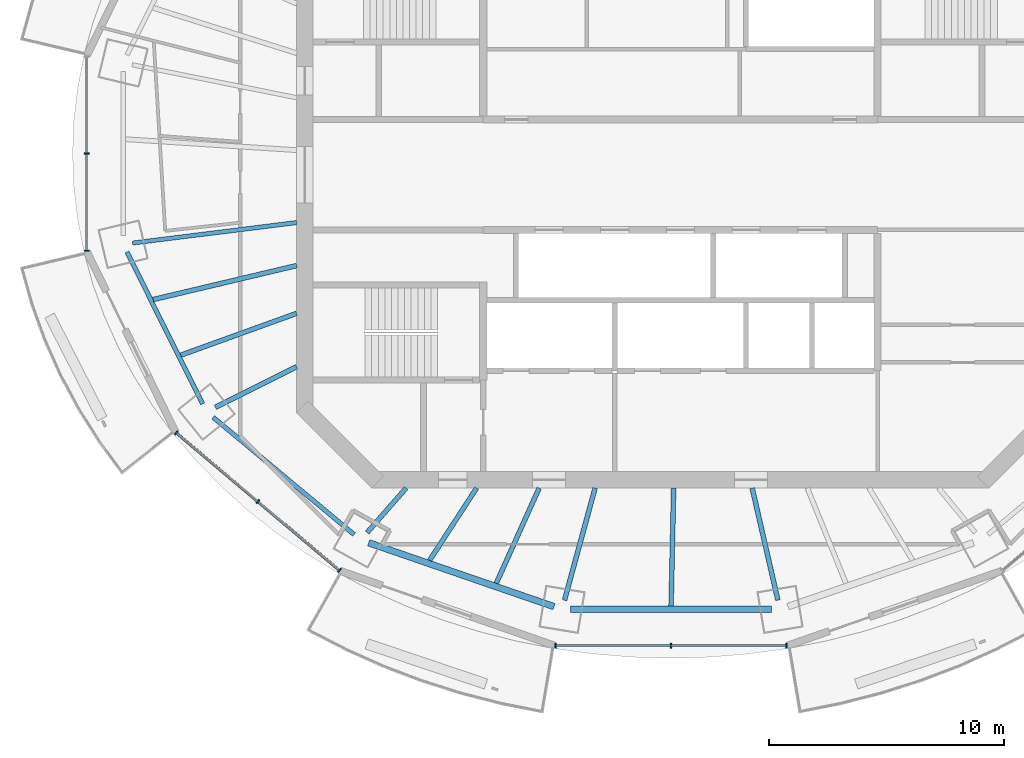
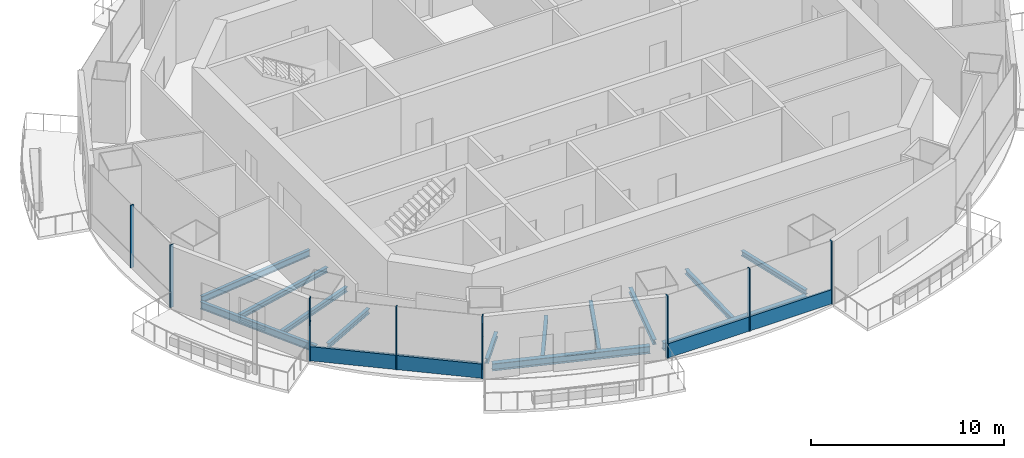
# One storey, part 2 of 15: 14 beams, 10 members, 3 elements without a shape of their own.
"""IFC4 building model written with IfcOpenShell, lengths in metres."""

from ifc_helpers import new_model, si_unit, direction, frame, origin, origin_2d, place, context, subcontext, project, spatial, rectangle, i_section, extrude, material, material_profile, profile_set, type_object, element, aggregate, save


model = new_model("IFC4")

# Units and contexts
model_context = context("Model", 3, precision=1e-05, world=origin(), true_north=direction((0.0, 1.0)))
body_context = subcontext(model_context, "Body", "Model", "MODEL_VIEW")
ifc_project = project(units=[si_unit("LENGTHUNIT", "METRE"), si_unit("AREAUNIT", "SQUARE_METRE"), si_unit("VOLUMEUNIT", "CUBIC_METRE"), si_unit("PLANEANGLEUNIT", "RADIAN"), si_unit("MASSUNIT", "GRAM", prefix="KILO")], contexts=[model_context])

# Site, building, storey
site_placement = place(None, origin())
site = spatial("IfcSite", under=ifc_project, at=site_placement, CompositionType="ELEMENT")
building_placement = place(site_placement, origin())
building = spatial("IfcBuilding", under=site, at=building_placement, Name="Marenthal Gate Tower", CompositionType="ELEMENT")
storey_placement = place(building_placement, frame((0.0, 0.0, 384.10009765625)))
storey = spatial("IfcBuildingStorey", under=building, at=storey_placement, Name="L87", CompositionType="ELEMENT", Elevation=384.10009765625)

# Curtain wall, members
ifc_material_1 = material(Name="Aluminium and glass", Category="aluminium")
curtain_wall_type = type_object("IfcCurtainWallType", Name="Curtain wall typical high", PredefinedType="NOTDEFINED", material=ifc_material_1)
curtain_wall_1_placement = place(storey_placement, origin())
curtain_wall_1 = element("IfcCurtainWall", 1, at=curtain_wall_1_placement, inside=storey, type_object=curtain_wall_type, Name="Curtain wall L87 bay 8", PredefinedType="NOTDEFINED")
ifc_material_2 = material(Name="Aluminium", Category="aluminium")
ifc_material_profile_1 = material_profile(ifc_material_2, rectangle(XDim=0.199951171875, YDim=0.06005859375, at=origin_2d()), Name="60x200 aluminium mullion")
ifc_profile_set_1 = profile_set([ifc_material_profile_1], Name="Aluminium")
member_type_1 = type_object("IfcMemberType", Name="Mullion 60x200 typical high", PredefinedType="MULLION", material=ifc_profile_set_1)
member_1_placement = place(storey_placement, frame((-25.292236328125, 0.89990234375, 0.0), z_axis=(0.0, 0.0, 1.0), x_axis=(1.0, 0.0, 0.0)))
member_1 = element("IfcMember", 2, at=member_1_placement, type_object=member_type_1, Name="Mullion L87 bay 8.2", PredefinedType="MULLION", context=body_context, shape_type="SweptSolid", body=[
    extrude(rectangle(XDim=0.199951171875, YDim=0.06005859375, at=origin_2d()), origin(), (0.0, 0.0, 1.0), 3.969970703125),
])
member_2_placement = place(storey_placement, frame((-25.292236328125, -3.240966796875, 0.0), z_axis=(0.0, 0.0, 1.0), x_axis=(1.0, 0.0, 0.0)))
member_2 = element("IfcMember", 3, at=member_2_placement, type_object=member_type_1, Name="Mullion L87 bay 8.3", PredefinedType="MULLION", context=body_context, shape_type="SweptSolid", body=[
    extrude(rectangle(XDim=0.199951171875, YDim=0.06005859375, at=origin_2d()), origin(), (0.0, 0.0, 1.0), 3.969970703125),
])
aggregate(curtain_wall_1, [member_1, member_2])

curtain_wall_2_placement = place(storey_placement, origin())
curtain_wall_2 = element("IfcCurtainWall", 4, at=curtain_wall_2_placement, inside=storey, type_object=curtain_wall_type, Name="Curtain wall L87 bay 10", PredefinedType="NOTDEFINED")
member_3_placement = place(storey_placement, frame((-21.479736328125, -10.997314453125, 0.0), z_axis=(0.0, 0.0, 1.0), x_axis=(0.644265226944, 0.764802142616, 0.0)))
member_3 = element("IfcMember", 5, at=member_3_placement, type_object=member_type_1, Name="Mullion L87 bay 10.1", PredefinedType="MULLION", context=body_context, shape_type="SweptSolid", body=[
    extrude(rectangle(XDim=0.199951171875, YDim=0.06005859375, at=origin_2d()), origin(), (0.0, 0.0, 1.0), 3.969970703125),
])
member_4_placement = place(storey_placement, frame((-18.00146484375, -13.927490234375, 0.0), z_axis=(0.0, 0.0, 1.0), x_axis=(0.644265226944, 0.764802142616, 0.0)))
member_4 = element("IfcMember", 6, at=member_4_placement, type_object=member_type_1, Name="Mullion L87 bay 10.2", PredefinedType="MULLION", context=body_context, shape_type="SweptSolid", body=[
    extrude(rectangle(XDim=0.199951171875, YDim=0.06005859375, at=origin_2d()), origin(), (0.0, 0.0, 1.0), 3.969970703125),
])
member_5_placement = place(storey_placement, frame((-14.5234375, -16.857421875, 0.0), z_axis=(0.0, 0.0, 1.0), x_axis=(0.644265226944, 0.764802142616, 0.0)))
member_5 = element("IfcMember", 7, at=member_5_placement, type_object=member_type_1, Name="Mullion L87 bay 10.3", PredefinedType="MULLION", context=body_context, shape_type="SweptSolid", body=[
    extrude(rectangle(XDim=0.199951171875, YDim=0.06005859375, at=origin_2d()), origin(), (0.0, 0.0, 1.0), 3.969970703125),
])

curtain_wall_3_placement = place(storey_placement, origin())
curtain_wall_3 = element("IfcCurtainWall", 8, at=curtain_wall_3_placement, inside=storey, type_object=curtain_wall_type, Name="Curtain wall L87 bay 12", PredefinedType="NOTDEFINED")
member_6_placement = place(storey_placement, frame((-5.3212890625, -20.069091796875, 0.0), z_axis=(0.0, 0.0, 1.0), x_axis=(0.0, 1.0, 0.0)))
member_6 = element("IfcMember", 9, at=member_6_placement, type_object=member_type_1, Name="Mullion L87 bay 12.1", PredefinedType="MULLION", context=body_context, shape_type="SweptSolid", body=[
    extrude(rectangle(XDim=0.199951171875, YDim=0.06005859375, at=origin_2d()), origin(), (0.0, 0.0, 1.0), 3.969970703125),
])
member_7_placement = place(storey_placement, frame((-0.39990234375, -20.069091796875, 0.0), z_axis=(0.0, 0.0, 1.0), x_axis=(0.0, 1.0, 0.0)))
member_7 = element("IfcMember", 10, at=member_7_placement, type_object=member_type_1, Name="Mullion L87 bay 12.2", PredefinedType="MULLION", context=body_context, shape_type="SweptSolid", body=[
    extrude(rectangle(XDim=0.199951171875, YDim=0.06005859375, at=origin_2d()), origin(), (0.0, 0.0, 1.0), 3.969970703125),
])
member_8_placement = place(storey_placement, frame((4.521484375, -20.069091796875, 0.0), z_axis=(0.0, 0.0, 1.0), x_axis=(0.0, 1.0, 0.0)))
member_8 = element("IfcMember", 11, at=member_8_placement, type_object=member_type_1, Name="Mullion L87 bay 12.3", PredefinedType="MULLION", context=body_context, shape_type="SweptSolid", body=[
    extrude(rectangle(XDim=0.199951171875, YDim=0.06005859375, at=origin_2d()), origin(), (0.0, 0.0, 1.0), 3.969970703125),
])

# Member
ifc_material_3 = material(Name="Aluminium", Category="aluminium")
ifc_material_profile_2 = material_profile(ifc_material_3, rectangle(XDim=0.1201171875, YDim=0.89990234375, at=origin_2d()), Name="120x900 aluminium transom")
ifc_profile_set_2 = profile_set([ifc_material_profile_2], Name="Aluminium")
member_type_2 = type_object("IfcMemberType", Name="Transom 120x900 typical high", PredefinedType="USERDEFINED", material=ifc_profile_set_2)
member_9_placement = place(storey_placement, frame((-21.456787109375, -11.016845703125, 0.449951171875), z_axis=(0.764801880801, -0.644265537743, 0.0), x_axis=(0.644265537743, 0.764801880801, 0.0)))
member_9 = element("IfcMember", 12, at=member_9_placement, type_object=member_type_2, Name="Transom L87 bay 10", ObjectType="TRANSOM", PredefinedType="USERDEFINED", context=body_context, shape_type="SweptSolid", body=[
    extrude(rectangle(XDim=0.1201171875, YDim=0.89990234375, at=origin_2d()), origin(), (0.0, 0.0, 1.0), 9.03564453125),
])

aggregate(curtain_wall_2, [member_3, member_4, member_5, member_9])

member_10_placement = place(storey_placement, frame((-5.29150390625, -20.069091796875, 0.449951171875), z_axis=(1.0, 0.0, 0.0), x_axis=(0.0, 1.0, 0.0)))
member_10 = element("IfcMember", 13, at=member_10_placement, type_object=member_type_2, Name="Transom L87 bay 12", ObjectType="TRANSOM", PredefinedType="USERDEFINED", context=body_context, shape_type="SweptSolid", body=[
    extrude(rectangle(XDim=0.1201171875, YDim=0.89990234375, at=origin_2d()), origin(), (0.0, 0.0, 1.0), 9.782958984375),
])

aggregate(curtain_wall_3, [member_6, member_7, member_8, member_10])

# Beams
ifc_material_4 = material(Name="Steel S355", Category="steel")
ifc_material_profile_3 = material_profile(ifc_material_4, i_section(OverallWidth=0.202880859375, OverallDepth=0.302001953125, WebThickness=0.007568359375, FlangeThickness=0.01318359375, FilletRadius=0.0126953125, at=origin_2d()), Name="W310X60")
ifc_profile_set_3 = profile_set([ifc_material_profile_3], Name="Steel S355")
beam_type_1 = type_object("IfcBeamType", Name="W310X60 beam", PredefinedType="BEAM", material=ifc_profile_set_3)
beam_1_placement = place(storey_placement, frame((-21.283203125, -7.6884765625, -0.3310546875), z_axis=(0.940518373063, 0.339742829109, 0.0), x_axis=(-0.339742829109, 0.940518373063, 0.0)))
element("IfcBeam", 14, at=beam_1_placement, inside=storey, type_object=beam_type_1, Name="BM-L87-29", PredefinedType="BEAM", context=body_context, shape_type="SweptSolid", body=[
    extrude(i_section(OverallWidth=0.202880859375, OverallDepth=0.302001953125, WebThickness=0.007568359375, FlangeThickness=0.01318359375, FilletRadius=0.0126953125, at=origin_2d()), origin(), (0.0, 0.0, 1.0), 5.2451171875),
])
beam_2_placement = place(storey_placement, frame((-10.684326171875, -16.427978515625, -0.3310546875), z_axis=(0.545196351283, 0.838308379147, 0.0), x_axis=(-0.838308379147, 0.545196351283, 0.0)))
element("IfcBeam", 15, at=beam_2_placement, inside=storey, type_object=beam_type_1, Name="BM-L87-30", PredefinedType="BEAM", context=body_context, shape_type="SweptSolid", body=[
    extrude(i_section(OverallWidth=0.202880859375, OverallDepth=0.302001953125, WebThickness=0.007568359375, FlangeThickness=0.01318359375, FilletRadius=0.0126953125, at=origin_2d()), origin(), (0.0, 0.0, 1.0), 3.671630859375),
])
beam_3_placement = place(storey_placement, frame((-7.845458984375, -17.40625, -0.3310546875), z_axis=(0.410944126678, 0.91166053153, 0.0), x_axis=(-0.91166053153, 0.410944126678, 0.0)))
element("IfcBeam", 16, at=beam_3_placement, inside=storey, type_object=beam_type_1, Name="BM-L87-31", PredefinedType="BEAM", context=body_context, shape_type="SweptSolid", body=[
    extrude(i_section(OverallWidth=0.202880859375, OverallDepth=0.302001953125, WebThickness=0.007568359375, FlangeThickness=0.01318359375, FilletRadius=0.0126953125, at=origin_2d()), origin(), (0.0, 0.0, 1.0), 4.44921875),
])
beam_4_placement = place(storey_placement, frame((-0.39697265625, -18.3798828125, -0.3310546875), z_axis=(0.021594807698, 0.99976680495, 0.0), x_axis=(-0.99976680495, 0.021594807698, 0.0)))
element("IfcBeam", 17, at=beam_4_placement, inside=storey, type_object=beam_type_1, Name="BM-L87-32", PredefinedType="BEAM", context=body_context, shape_type="SweptSolid", body=[
    extrude(i_section(OverallWidth=0.202880859375, OverallDepth=0.302001953125, WebThickness=0.007568359375, FlangeThickness=0.01318359375, FilletRadius=0.0126953125, at=origin_2d()), origin(), (0.0, 0.0, 1.0), 5.031005859375),
])
ifc_material_5 = material(Name="Steel S355", Category="steel")
ifc_material_profile_4 = material_profile(ifc_material_5, i_section(OverallWidth=0.205078125, OverallDepth=0.31005859375, WebThickness=0.009521484375, FlangeThickness=0.016357421875, FilletRadius=0.0126953125, at=origin_2d()), Name="W310X74")
ifc_profile_set_4 = profile_set([ifc_material_profile_4], Name="Steel S355")
beam_type_2 = type_object("IfcBeamType", Name="W310X74 beam", PredefinedType="BEAM", material=ifc_profile_set_4)
beam_5_placement = place(storey_placement, frame((-19.812744140625, -9.912109375, -0.335205078125), z_axis=(0.894313662611, 0.447440580264, 0.0), x_axis=(-0.447440580264, 0.894313662611, 0.0)))
element("IfcBeam", 18, at=beam_5_placement, inside=storey, type_object=beam_type_2, Name="BM-L87-10", PredefinedType="BEAM", context=body_context, shape_type="SweptSolid", body=[
    extrude(i_section(OverallWidth=0.205078125, OverallDepth=0.31005859375, WebThickness=0.009521484375, FlangeThickness=0.016357421875, FilletRadius=0.0126953125, at=origin_2d()), origin(), (0.0, 0.0, 1.0), 3.871826171875),
])
beam_6_placement = place(storey_placement, frame((-13.345703125, -15.24658203125, -0.335205078125), z_axis=(0.658724007976, 0.752384663132, 0.0), x_axis=(-0.752384663132, 0.658724007976, 0.0)))
element("IfcBeam", 19, at=beam_6_placement, inside=storey, type_object=beam_type_2, Name="BM-L87-11", PredefinedType="BEAM", context=body_context, shape_type="SweptSolid", body=[
    extrude(i_section(OverallWidth=0.205078125, OverallDepth=0.31005859375, WebThickness=0.009521484375, FlangeThickness=0.016357421875, FilletRadius=0.0126953125, at=origin_2d()), origin(), (0.0, 0.0, 1.0), 2.520751953125),
])
beam_7_placement = place(storey_placement, frame((-4.936767578125, -18.12890625, -0.335205078125), z_axis=(0.262733655063, 0.964868398538, 0.0), x_axis=(-0.964868398538, 0.262733655063, 0.0)))
element("IfcBeam", 20, at=beam_7_placement, inside=storey, type_object=beam_type_2, Name="BM-L87-12", PredefinedType="BEAM", context=body_context, shape_type="SweptSolid", body=[
    extrude(i_section(OverallWidth=0.205078125, OverallDepth=0.31005859375, WebThickness=0.009521484375, FlangeThickness=0.016357421875, FilletRadius=0.0126953125, at=origin_2d()), origin(), (0.0, 0.0, 1.0), 4.952880859375),
])
beam_8_placement = place(storey_placement, frame((4.1533203125, -18.1279296875, -0.335205078125), z_axis=(-0.223338692396, 0.974740903255, 0.0), x_axis=(-0.974740903255, -0.223338692396, 0.0)))
element("IfcBeam", 21, at=beam_8_placement, inside=storey, type_object=beam_type_2, Name="BM-L87-13", PredefinedType="BEAM", context=body_context, shape_type="SweptSolid", body=[
    extrude(i_section(OverallWidth=0.205078125, OverallDepth=0.31005859375, WebThickness=0.009521484375, FlangeThickness=0.016357421875, FilletRadius=0.0126953125, at=origin_2d()), origin(), (0.0, 0.0, 1.0), 4.901611328125),
])
beam_9_placement = place(storey_placement, frame((-22.462646484375, -5.3193359375, -0.335205078125), z_axis=(0.973087397589, 0.230436361397, 0.0), x_axis=(-0.230436361397, 0.973087397589, 0.0)))
element("IfcBeam", 22, at=beam_9_placement, inside=storey, type_object=beam_type_2, Name="BM-L87-28", PredefinedType="BEAM", context=body_context, shape_type="SweptSolid", body=[
    extrude(i_section(OverallWidth=0.205078125, OverallDepth=0.31005859375, WebThickness=0.009521484375, FlangeThickness=0.016357421875, FilletRadius=0.0126953125, at=origin_2d()), origin(), (0.0, 0.0, 1.0), 6.281494140625),
])
ifc_material_6 = material(Name="Steel S355", Category="steel")
ifc_material_profile_5 = material_profile(ifc_material_6, i_section(OverallWidth=0.180908203125, OverallDepth=0.4169921875, WebThickness=0.010986328125, FlangeThickness=0.018310546875, FilletRadius=0.01025390625, at=origin_2d()), Name="W410X85")
ifc_profile_set_5 = profile_set([ifc_material_profile_5], Name="Steel S355")
beam_type_3 = type_object("IfcBeamType", Name="W410X85 beam", PredefinedType="BEAM", material=ifc_profile_set_5)
beam_10_placement = place(storey_placement, frame((-23.34033203125, -2.91259765625, -0.388671875), z_axis=(0.992303448561, 0.123829988185, 0.0), x_axis=(-0.123829988185, 0.992303448561, 0.0)))
element("IfcBeam", 23, at=beam_10_placement, inside=storey, type_object=beam_type_3, Name="BM-L87-09", PredefinedType="BEAM", context=body_context, shape_type="SweptSolid", body=[
    extrude(i_section(OverallWidth=0.180908203125, OverallDepth=0.4169921875, WebThickness=0.010986328125, FlangeThickness=0.018310546875, FilletRadius=0.01025390625, at=origin_2d()), origin(), (0.0, 0.0, 1.0), 7.04443359375),
])
ifc_material_7 = material(Name="Steel S355", Category="steel")
ifc_material_profile_6 = material_profile(ifc_material_7, i_section(OverallWidth=0.279052734375, OverallDepth=0.4619140625, WebThickness=0.0107421875, FlangeThickness=0.017333984375, FilletRadius=0.010009765625, at=origin_2d()), Name="W460X113")
ifc_profile_set_6 = profile_set([ifc_material_profile_6], Name="Steel S355")
beam_type_4 = type_object("IfcBeamType", Name="W460X113 beam", PredefinedType="BEAM", material=ifc_profile_set_6)
beam_11_placement = place(storey_placement, frame((-13.279052734375, -15.681396484375, -0.4111328125), z_axis=(0.94543573541, -0.325808640478, 0.0), x_axis=(0.325808640478, 0.94543573541, 0.0)))
element("IfcBeam", 24, at=beam_11_placement, inside=storey, type_object=beam_type_4, Name="BM-L87-48", PredefinedType="BEAM", context=body_context, shape_type="SweptSolid", body=[
    extrude(i_section(OverallWidth=0.279052734375, OverallDepth=0.4619140625, WebThickness=0.0107421875, FlangeThickness=0.017333984375, FilletRadius=0.010009765625, at=origin_2d()), origin(), (0.0, 0.0, 1.0), 8.34912109375),
])
beam_12_placement = place(storey_placement, frame((-4.681396484375, -18.51953125, -0.4111328125), z_axis=(1.0, 0.0, 0.0), x_axis=(0.0, 1.0, 0.0)))
element("IfcBeam", 25, at=beam_12_placement, inside=storey, type_object=beam_type_4, Name="BM-L87-49", PredefinedType="BEAM", context=body_context, shape_type="SweptSolid", body=[
    extrude(i_section(OverallWidth=0.279052734375, OverallDepth=0.4619140625, WebThickness=0.0107421875, FlangeThickness=0.017333984375, FilletRadius=0.010009765625, at=origin_2d()), origin(), (0.0, 0.0, 1.0), 8.56298828125),
])
ifc_material_8 = material(Name="Steel S355", Category="steel")
ifc_material_profile_7 = material_profile(ifc_material_8, i_section(OverallWidth=0.19091796875, OverallDepth=0.45703125, WebThickness=0.009033203125, FlangeThickness=0.014404296875, FilletRadius=0.01025390625, at=origin_2d()), Name="W460X74")
ifc_profile_set_7 = profile_set([ifc_material_profile_7], Name="Steel S355")
beam_type_5 = type_object("IfcBeamType", Name="W460X74 beam", PredefinedType="BEAM", material=ifc_profile_set_7)
beam_13_placement = place(storey_placement, frame((-23.57666015625, -3.296142578125, -0.40869140625), z_axis=(0.445686804831, -0.895188958824, 0.0), x_axis=(0.895188958824, 0.445686804831, 0.0)))
element("IfcBeam", 26, at=beam_13_placement, inside=storey, type_object=beam_type_5, Name="BM-L87-46", PredefinedType="BEAM", context=body_context, shape_type="SweptSolid", body=[
    extrude(i_section(OverallWidth=0.19091796875, OverallDepth=0.45703125, WebThickness=0.009033203125, FlangeThickness=0.014404296875, FilletRadius=0.01025390625, at=origin_2d()), origin(), (0.0, 0.0, 1.0), 7.230712890625),
])
beam_14_placement = place(storey_placement, frame((-19.906494140625, -10.335205078125, -0.40869140625), z_axis=(0.76874123216, -0.63955994088, 0.0), x_axis=(0.63955994088, 0.76874123216, 0.0)))
element("IfcBeam", 27, at=beam_14_placement, inside=storey, type_object=beam_type_5, Name="BM-L87-47", PredefinedType="BEAM", context=body_context, shape_type="SweptSolid", body=[
    extrude(i_section(OverallWidth=0.19091796875, OverallDepth=0.45703125, WebThickness=0.009033203125, FlangeThickness=0.014404296875, FilletRadius=0.01025390625, at=origin_2d()), origin(), (0.0, 0.0, 1.0), 7.80908203125),
])

save(model, "model.ifc")
